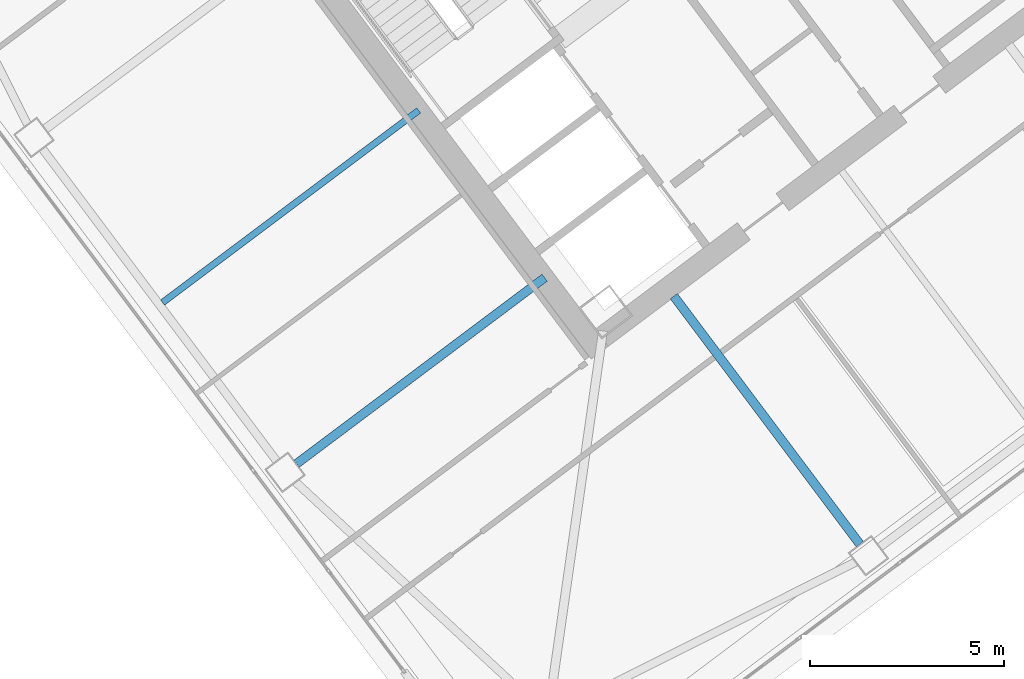
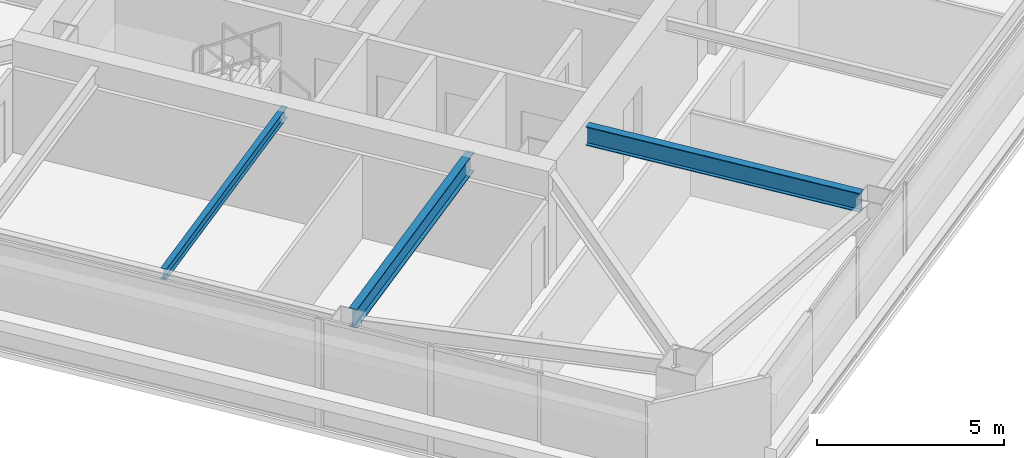
# One storey, part 20 of 43: 3 beams.
"""IFC4 building model written with IfcOpenShell, lengths in metres."""

from ifc_helpers import new_model, si_unit, direction, frame, origin, origin_2d, place, context, subcontext, project, spatial, i_section, extrude, material, material_profile, profile_set, type_object, element, save


model = new_model("IFC4")

# Units and contexts
model_context = context("Model", 3, precision=1e-05, world=origin(), true_north=direction((0.0, 1.0)))
body_context = subcontext(model_context, "Body", "Model", "MODEL_VIEW")
ifc_project = project(units=[si_unit("LENGTHUNIT", "METRE"), si_unit("AREAUNIT", "SQUARE_METRE"), si_unit("VOLUMEUNIT", "CUBIC_METRE"), si_unit("PLANEANGLEUNIT", "RADIAN"), si_unit("MASSUNIT", "GRAM", prefix="KILO")], contexts=[model_context])

# Site, building, storey
site_placement = place(None, origin())
site = spatial("IfcSite", under=ifc_project, at=site_placement, CompositionType="ELEMENT")
building_placement = place(site_placement, origin())
building = spatial("IfcBuilding", under=site, at=building_placement, Name="Tashvorn Skyway Center", CompositionType="ELEMENT")
storey_placement = place(building_placement, frame((0.0, 0.0, 160.550048828125)))
storey = spatial("IfcBuildingStorey", under=building, at=storey_placement, Name="L43", CompositionType="ELEMENT", Elevation=160.550048828125)

# Beams
ifc_material = material(Name="Steel ASTM A992 Grade 50", Category="steel")
ifc_material_profile_1 = material_profile(ifc_material, i_section(OverallWidth=0.22998046875, OverallDepth=0.616943359375, WebThickness=0.01318359375, FlangeThickness=0.022216796875, at=origin_2d()), Name="W24X94")
ifc_profile_set_1 = profile_set([ifc_material_profile_1], Name="Steel ASTM A992 Grade 50")
beam_type_1 = type_object("IfcBeamType", Name="BM-BEAM-W24X94", PredefinedType="BEAM", material=ifc_profile_set_1)
beam_1_placement = place(storey_placement, frame((119.14794921875, 16.135986328125, 3.0615234375), z_axis=(-0.60000976564, 0.799992675677, 0.0), x_axis=(-0.799992675677, -0.60000976564, 0.0)))
element("IfcBeam", 1, at=beam_1_placement, inside=storey, type_object=beam_type_1, Name="Tower 2 L43 Primary Floor Girder FC-S1", PredefinedType="BEAM", context=body_context, shape_type="SweptSolid", body=[
    extrude(i_section(OverallWidth=0.22998046875, OverallDepth=0.616943359375, WebThickness=0.01318359375, FlangeThickness=0.022216796875, at=origin_2d()), origin(), (0.0, 0.0, 1.0), 8.0),
])
beam_2_placement = place(storey_placement, frame((104.615966796875, 18.2119140625, 3.0615234375), z_axis=(0.800003662027, 0.599995117266, 0.0), x_axis=(-0.599995117266, 0.800003662027, 0.0)))
element("IfcBeam", 2, at=beam_2_placement, inside=storey, type_object=beam_type_1, Name="Tower 2 L43 Primary Floor Girder FC-W2", PredefinedType="BEAM", context=body_context, shape_type="SweptSolid", body=[
    extrude(i_section(OverallWidth=0.22998046875, OverallDepth=0.616943359375, WebThickness=0.01318359375, FlangeThickness=0.022216796875, at=origin_2d()), origin(), (0.0, 0.0, 1.0), 8.000244140625),
])
ifc_material_profile_2 = material_profile(ifc_material, i_section(OverallWidth=0.1708984375, OverallDepth=0.35498046875, WebThickness=0.007080078125, FlangeThickness=0.01171875, at=origin_2d()), Name="W14X34")
ifc_profile_set_2 = profile_set([ifc_material_profile_2], Name="Steel ASTM A992 Grade 50")
beam_type_2 = type_object("IfcBeamType", Name="BM-JOIST-W14X34", PredefinedType="JOIST", material=ifc_profile_set_2)
beam_3_placement = place(storey_placement, frame((107.76806640625, 27.325927734375, 3.1923828125), z_axis=(-0.800003545708, -0.59999527236, 0.0), x_axis=(0.59999527236, -0.800003545708, 0.0)))
element("IfcBeam", 3, at=beam_3_placement, inside=storey, type_object=beam_type_2, Name="Tower 2 L43 Secondary Composite Joist JW", PredefinedType="JOIST", context=body_context, shape_type="SweptSolid", body=[
    extrude(i_section(OverallWidth=0.1708984375, OverallDepth=0.35498046875, WebThickness=0.007080078125, FlangeThickness=0.01171875, at=origin_2d()), origin(), (0.0, 0.0, 1.0), 8.2626953125),
])

save(model, "model.ifc")
